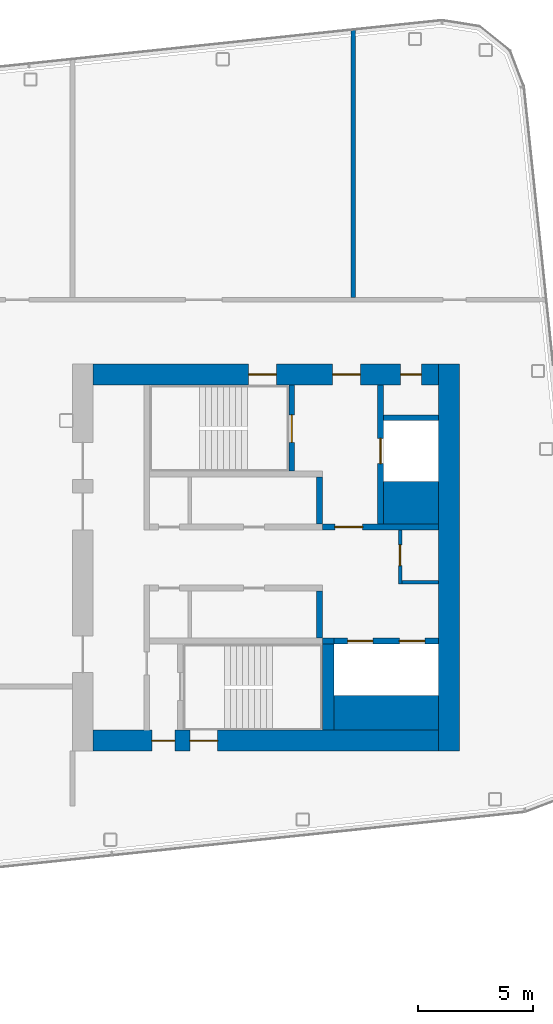
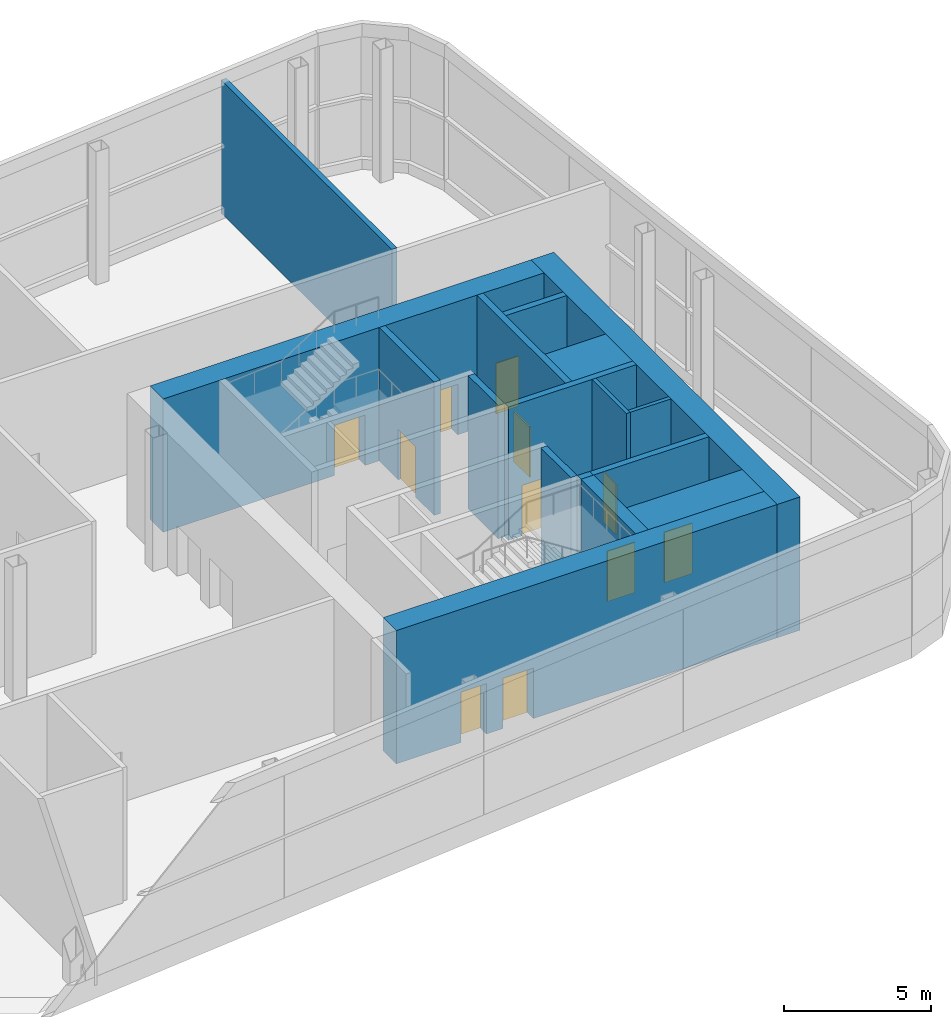
# One storey, part 17 of 35: 17 walls, 11 doors, 11 openings.
"""IFC4 building model written with IfcOpenShell, lengths in metres."""

from ifc_helpers import new_model, si_unit, direction, frame, frame_2d, origin, place, context, subcontext, project, spatial, rectangle, extrude, material, layer, layer_set, type_object, element, fill, save


model = new_model("IFC4")

# Units and contexts
model_context = context("Model", 3, precision=1e-05, world=origin(), true_north=direction((0.0, 1.0)))
body_context = subcontext(model_context, "Body", "Model", "MODEL_VIEW")
ifc_project = project(units=[si_unit("LENGTHUNIT", "METRE"), si_unit("AREAUNIT", "SQUARE_METRE"), si_unit("VOLUMEUNIT", "CUBIC_METRE"), si_unit("PLANEANGLEUNIT", "RADIAN"), si_unit("MASSUNIT", "GRAM", prefix="KILO")], contexts=[model_context])

# Site, building, storey
site_placement = place(None, origin())
site = spatial("IfcSite", under=ifc_project, at=site_placement, CompositionType="ELEMENT")
building_placement = place(site_placement, origin())
building = spatial("IfcBuilding", under=site, at=building_placement, Name="Hakoniwa Tower and Hamabe Station Hall", CompositionType="ELEMENT")
storey_placement = place(building_placement, frame((0.0, 0.0, 270.60009765625)))
storey = spatial("IfcBuildingStorey", under=building, at=storey_placement, Name="L76", CompositionType="ELEMENT", Elevation=270.60009765625)

# Wall, opening, door
ifc_material_1 = material(Name="Gypsum board partition")
ifc_layer_1 = layer(ifc_material_1, 0.14990234375)
ifc_layer_set_1 = layer_set([ifc_layer_1], Name="CORE PARTITION 150 EI 60")
wall_type_1 = type_object("IfcWallType", Name="CORE PARTITION 150 EI 60", PredefinedType="PARTITIONING", material=ifc_layer_set_1)
wall_1_placement = place(storey_placement, frame((31.02490234375, -1.14990234375, 0.0), z_axis=(0.0, 0.0, 1.0), x_axis=(0.0, 1.0, 0.0)))
wall_1 = element("IfcWall", 1, at=wall_1_placement, inside=storey, type_object=wall_type_1, Name="Core partition PW0 east", PredefinedType="PARTITIONING", context=body_context, shape_type="SweptSolid", body=[
    extrude(rectangle(XDim=2.349853515625, YDim=0.14990234375, at=frame_2d((1.1748046875, 0.0))), origin(), (0.0, 0.0, 1.0), 5.5498046875),
])
opening_1_placement = place(wall_1_placement, frame((0.800048828125, 0.0, 0.0)))
opening_1 = element("IfcOpeningElement", 2, at=opening_1_placement, cuts=wall_1, Name="Opening CD-E-RM1-9", PredefinedType="OPENING", context=body_context, shape_type="SweptSolid", body=[
    extrude(rectangle(XDim=0.89990234375, YDim=2.10009765625, at=frame_2d((0.449951171875, 1.050048828125))), frame((0.0, 0.0849609375, 0.0), z_axis=(0.0, -1.0, 0.0), x_axis=(1.0, 0.0, 0.0)), (0.0, 0.0, 1.0), 0.169921875),
])
ifc_material_2 = material(Name="Steel fire door", Category="steel")
door_type_1 = type_object("IfcDoorType", Name="CORE DOOR 900 FD30", OperationType="NOTDEFINED", PredefinedType="DOOR", material=ifc_material_2)
door_1_placement = place(opening_1_placement, origin())
door_1 = element("IfcDoor", 3, at=door_1_placement, inside=storey, type_object=door_type_1, Name="Store room door", OperationType="SINGLE_SWING_RIGHT", OverallHeight=2.10009765625, OverallWidth=0.89990234375, PredefinedType="DOOR", context=body_context, shape_type="SweptSolid", body=[
    extrude(rectangle(XDim=0.89990234375, YDim=2.10009765625, at=frame_2d((0.449951171875, 1.050048828125))), frame((0.0, 0.02490234375, 0.0), z_axis=(0.0, -1.0, 0.0), x_axis=(1.0, 0.0, 0.0)), (0.0, 0.0, 1.0), 0.050048828125),
])
fill(opening_1, door_1)

# Walls
wall_2_placement = place(storey_placement, frame((31.10009765625, -1.074951171875, 0.0), z_axis=(0.0, 0.0, 1.0), x_axis=(1.0, 0.0, 0.0)))
element("IfcWall", 4, at=wall_2_placement, inside=storey, type_object=wall_type_1, Name="Core partition PS east", PredefinedType="PARTITIONING", context=body_context, shape_type="SweptSolid", body=[
    extrude(rectangle(XDim=1.599853515625, YDim=0.14990234375, at=frame_2d((0.7998046875, 0.0))), origin(), (0.0, 0.0, 1.0), 5.5498046875),
])
ifc_material_3 = material(Name="Concrete C60", Category="concrete")
ifc_layer_2 = layer(ifc_material_3, 0.89990234375)
ifc_layer_set_2 = layer_set([ifc_layer_2], Name="CORE WALL 900 C60")
wall_type_2 = type_object("IfcWallType", Name="CORE WALL 900 C60", PredefinedType="SHEAR", material=ifc_layer_set_2)
wall_3_placement = place(storey_placement, frame((33.14990234375, -8.39990234375, 0.0), z_axis=(0.0, 0.0, 1.0), x_axis=(0.0, 1.0, 0.0)))
element("IfcWall", 5, at=wall_3_placement, inside=storey, type_object=wall_type_2, Name="Core wall OUTER east", PredefinedType="SHEAR", context=body_context, shape_type="SweptSolid", body=[
    extrude(rectangle(XDim=16.7998046875, YDim=0.89990234375, at=frame_2d((8.39990234375, 0.0))), origin(), (0.0, 0.0, 1.0), 5.5498046875),
])

# Wall, openings, doors
wall_4_placement = place(storey_placement, frame((17.699951171875, 7.949951171875, 0.0), z_axis=(0.0, 0.0, 1.0), x_axis=(1.0, 0.0, 0.0)))
wall_4 = element("IfcWall", 6, at=wall_4_placement, inside=storey, type_object=wall_type_2, Name="Core wall NORTH east", PredefinedType="SHEAR", context=body_context, shape_type="SweptSolid", body=[
    extrude(rectangle(XDim=15.0, YDim=0.89990234375, at=frame_2d((7.5, 0.0))), origin(), (0.0, 0.0, 1.0), 5.5498046875),
])
opening_2_placement = place(wall_4_placement, frame((10.39990234375, 0.0, 0.0)))
opening_2 = element("IfcOpeningElement", 7, at=opening_2_placement, cuts=wall_4, Name="Opening CD-E-FN1-12", PredefinedType="OPENING", context=body_context, shape_type="SweptSolid", body=[
    extrude(rectangle(XDim=1.199951171875, YDim=2.10009765625, at=frame_2d((0.60009765625, 1.050048828125))), frame((0.0, 0.4599609375, 0.0), z_axis=(0.0, -1.0, 0.0), x_axis=(1.0, 0.0, 0.0)), (0.0, 0.0, 1.0), 0.919921875),
])
opening_3_placement = place(wall_4_placement, frame((13.35009765625, 0.0, 0.0)))
opening_3 = element("IfcOpeningElement", 8, at=opening_3_placement, cuts=wall_4, Name="Opening CD-E-FN2-9", PredefinedType="OPENING", context=body_context, shape_type="SweptSolid", body=[
    extrude(rectangle(XDim=0.89990234375, YDim=2.10009765625, at=frame_2d((0.449951171875, 1.050048828125))), frame((0.0, 0.4599609375, 0.0), z_axis=(0.0, -1.0, 0.0), x_axis=(1.0, 0.0, 0.0)), (0.0, 0.0, 1.0), 0.919921875),
])
opening_4_placement = place(wall_4_placement, frame((6.75, 0.0, 0.0)))
opening_4 = element("IfcOpeningElement", 9, at=opening_4_placement, cuts=wall_4, Name="Opening CD-E-FN4-12", PredefinedType="OPENING", context=body_context, shape_type="SweptSolid", body=[
    extrude(rectangle(XDim=1.199951171875, YDim=2.10009765625, at=frame_2d((0.60009765625, 1.050048828125))), frame((0.0, 0.4599609375, 0.0), z_axis=(0.0, -1.0, 0.0), x_axis=(1.0, 0.0, 0.0)), (0.0, 0.0, 1.0), 0.919921875),
])
ifc_material_4 = material(Name="Steel fire door", Category="steel")
door_type_2 = type_object("IfcDoorType", Name="CORE DOOR 1200 FD60", OperationType="DOUBLE_DOOR_SINGLE_SWING", PredefinedType="DOOR", material=ifc_material_4)
door_2_placement = place(opening_2_placement, origin())
door_2 = element("IfcDoor", 10, at=door_2_placement, inside=storey, type_object=door_type_2, Name="Stair vestibule door to the fire-fighting lobby", OperationType="DOUBLE_DOOR_SINGLE_SWING", OverallHeight=2.10009765625, OverallWidth=1.199951171875, PredefinedType="DOOR", context=body_context, shape_type="SweptSolid", body=[
    extrude(rectangle(XDim=1.199951171875, YDim=2.10009765625, at=frame_2d((0.60009765625, 1.050048828125))), frame((0.0, 0.02490234375, 0.0), z_axis=(0.0, -1.0, 0.0), x_axis=(1.0, 0.0, 0.0)), (0.0, 0.0, 1.0), 0.050048828125),
])
fill(opening_2, door_2)
door_3_placement = place(opening_4_placement, origin())
door_3 = element("IfcDoor", 11, at=door_3_placement, inside=storey, type_object=door_type_2, Name="Stair vestibule door to stair A", OperationType="DOUBLE_DOOR_SINGLE_SWING", OverallHeight=2.10009765625, OverallWidth=1.199951171875, PredefinedType="DOOR", context=body_context, shape_type="SweptSolid", body=[
    extrude(rectangle(XDim=1.199951171875, YDim=2.10009765625, at=frame_2d((0.60009765625, 1.050048828125))), frame((0.0, 0.02490234375, 0.0), z_axis=(0.0, -1.0, 0.0), x_axis=(1.0, 0.0, 0.0)), (0.0, 0.0, 1.0), 0.050048828125),
])
fill(opening_4, door_3)
door_4_placement = place(opening_3_placement, origin())
door_4 = element("IfcDoor", 12, at=door_4_placement, inside=storey, type_object=door_type_1, Name="Riser access door", OperationType="SINGLE_SWING_RIGHT", OverallHeight=2.10009765625, OverallWidth=0.89990234375, PredefinedType="DOOR", context=body_context, shape_type="SweptSolid", body=[
    extrude(rectangle(XDim=0.89990234375, YDim=2.10009765625, at=frame_2d((0.449951171875, 1.050048828125))), frame((0.0, 0.02490234375, 0.0), z_axis=(0.0, -1.0, 0.0), x_axis=(1.0, 0.0, 0.0)), (0.0, 0.0, 1.0), 0.050048828125),
])
fill(opening_3, door_4)

wall_5_placement = place(storey_placement, frame((17.699951171875, -7.949951171875, 0.0), z_axis=(0.0, 0.0, 1.0), x_axis=(1.0, 0.0, 0.0)))
wall_5 = element("IfcWall", 13, at=wall_5_placement, inside=storey, type_object=wall_type_2, Name="Core wall SOUTH east", PredefinedType="SHEAR", context=body_context, shape_type="SweptSolid", body=[
    extrude(rectangle(XDim=15.0, YDim=0.89990234375, at=frame_2d((7.5, 0.0))), origin(), (0.0, 0.0, 1.0), 5.5498046875),
])
opening_5_placement = place(wall_5_placement, frame((2.550048828125, 0.0, 0.0)))
opening_5 = element("IfcOpeningElement", 14, at=opening_5_placement, cuts=wall_5, Name="Opening CD-E-FS3-10", PredefinedType="OPENING", context=body_context, shape_type="SweptSolid", body=[
    extrude(rectangle(XDim=1.0, YDim=2.10009765625, at=frame_2d((0.5, 1.050048828125))), frame((0.0, 0.4599609375, 0.0), z_axis=(0.0, -1.0, 0.0), x_axis=(1.0, 0.0, 0.0)), (0.0, 0.0, 1.0), 0.919921875),
])
opening_6_placement = place(wall_5_placement, frame((4.199951171875, 0.0, 0.0)))
opening_6 = element("IfcOpeningElement", 15, at=opening_6_placement, cuts=wall_5, Name="Opening CD-E-FS5-12", PredefinedType="OPENING", context=body_context, shape_type="SweptSolid", body=[
    extrude(rectangle(XDim=1.199951171875, YDim=2.10009765625, at=frame_2d((0.60009765625, 1.050048828125))), frame((0.0, 0.4599609375, 0.0), z_axis=(0.0, -1.0, 0.0), x_axis=(1.0, 0.0, 0.0)), (0.0, 0.0, 1.0), 0.919921875),
])
ifc_material_5 = material(Name="Steel fire door", Category="steel")
door_type_3 = type_object("IfcDoorType", Name="CORE DOOR 1000 FD60", OperationType="NOTDEFINED", PredefinedType="DOOR", material=ifc_material_5)
door_5_placement = place(opening_5_placement, origin())
door_5 = element("IfcDoor", 16, at=door_5_placement, inside=storey, type_object=door_type_3, Name="Stair vestibule door", OperationType="SINGLE_SWING_LEFT", OverallHeight=2.10009765625, OverallWidth=1.0, PredefinedType="DOOR", context=body_context, shape_type="SweptSolid", body=[
    extrude(rectangle(XDim=1.0, YDim=2.10009765625, at=frame_2d((0.5, 1.050048828125))), frame((0.0, 0.02490234375, 0.0), z_axis=(0.0, -1.0, 0.0), x_axis=(1.0, 0.0, 0.0)), (0.0, 0.0, 1.0), 0.050048828125),
])
fill(opening_5, door_5)
door_6_placement = place(opening_6_placement, origin())
door_6 = element("IfcDoor", 17, at=door_6_placement, inside=storey, type_object=door_type_2, Name="Stair vestibule door to stair B", OperationType="DOUBLE_DOOR_SINGLE_SWING", OverallHeight=2.10009765625, OverallWidth=1.199951171875, PredefinedType="DOOR", context=body_context, shape_type="SweptSolid", body=[
    extrude(rectangle(XDim=1.199951171875, YDim=2.10009765625, at=frame_2d((0.60009765625, 1.050048828125))), frame((0.0, 0.02490234375, 0.0), z_axis=(0.0, -1.0, 0.0), x_axis=(1.0, 0.0, 0.0)), (0.0, 0.0, 1.0), 0.050048828125),
])
fill(opening_6, door_6)

# Walls
ifc_material_6 = material(Name="Concrete C60", Category="concrete")
ifc_layer_3 = layer(ifc_material_6, 1.5)
ifc_layer_set_3 = layer_set([ifc_layer_3], Name="CORE WEB WALL 1500 C60")
wall_type_3 = type_object("IfcWallType", Name="CORE WEB WALL 1500 C60", PredefinedType="SHEAR", material=ifc_layer_set_3)
wall_6_placement = place(storey_placement, frame((28.14990234375, -6.75, 0.0), z_axis=(0.0, 0.0, 1.0), x_axis=(1.0, 0.0, 0.0)))
element("IfcWall", 18, at=wall_6_placement, inside=storey, type_object=wall_type_3, Name="Core wall SER east", PredefinedType="SHEAR", context=body_context, shape_type="SweptSolid", body=[
    extrude(rectangle(XDim=4.550048828125, YDim=1.5, at=frame_2d((2.27490234375, 0.0))), origin(), (0.0, 0.0, 1.0), 5.5498046875),
])
ifc_material_7 = material(Name="Concrete C60", Category="concrete")
ifc_layer_4 = layer(ifc_material_7, 1.85009765625)
ifc_layer_set_4 = layer_set([ifc_layer_4], Name="CORE WEB WALL 1850 C60")
wall_type_4 = type_object("IfcWallType", Name="CORE WEB WALL 1850 C60", PredefinedType="SHEAR", material=ifc_layer_set_4)
wall_7_placement = place(storey_placement, frame((30.300048828125, 2.375, 0.0), z_axis=(0.0, 0.0, 1.0), x_axis=(1.0, 0.0, 0.0)))
element("IfcWall", 19, at=wall_7_placement, inside=storey, type_object=wall_type_4, Name="Core wall CA east", PredefinedType="SHEAR", context=body_context, shape_type="SweptSolid", body=[
    extrude(rectangle(XDim=2.39990234375, YDim=1.85009765625, at=frame_2d((1.199951171875, 0.0))), origin(), (0.0, 0.0, 1.0), 5.5498046875),
])
ifc_material_8 = material(Name="Concrete C60", Category="concrete")
ifc_layer_5 = layer(ifc_material_8, 0.25)
ifc_layer_set_5 = layer_set([ifc_layer_5], Name="CORE WEB WALL 250 C60")
wall_type_5 = type_object("IfcWallType", Name="CORE WEB WALL 250 C60", PredefinedType="SHEAR", material=ifc_layer_set_5)
wall_8_placement = place(storey_placement, frame((27.52490234375, 1.449951171875, 0.0), z_axis=(0.0, 0.0, 1.0), x_axis=(0.0, 1.0, 0.0)))
element("IfcWall", 20, at=wall_8_placement, inside=storey, type_object=wall_type_5, Name="Core wall NE east", PredefinedType="SHEAR", context=body_context, shape_type="SweptSolid", body=[
    extrude(rectangle(XDim=2.050048828125, YDim=0.25, at=frame_2d((1.02490234375, 0.0))), origin(), (0.0, 0.0, 1.0), 5.5498046875),
])

# Wall, opening, door
wall_9_placement = place(storey_placement, frame((26.324951171875, 3.75, 0.0), z_axis=(0.0, 0.0, 1.0), x_axis=(0.0, 1.0, 0.0)))
wall_9 = element("IfcWall", 21, at=wall_9_placement, inside=storey, type_object=wall_type_5, Name="Core wall NSE east", PredefinedType="SHEAR", context=body_context, shape_type="SweptSolid", body=[
    extrude(rectangle(XDim=3.75, YDim=0.25, at=frame_2d((1.875, 0.0))), origin(), (0.0, 0.0, 1.0), 5.5498046875),
])
opening_7_placement = place(wall_9_placement, frame((1.25, 0.0, 0.0)))
opening_7 = element("IfcOpeningElement", 22, at=opening_7_placement, cuts=wall_9, Name="Opening CD-E-SN-12", PredefinedType="OPENING", context=body_context, shape_type="SweptSolid", body=[
    extrude(rectangle(XDim=1.199951171875, YDim=2.10009765625, at=frame_2d((0.60009765625, 1.050048828125))), frame((0.0, 0.135009765625, 0.0), z_axis=(0.0, -1.0, 0.0), x_axis=(1.0, 0.0, 0.0)), (0.0, 0.0, 1.0), 0.27001953125),
])
door_7_placement = place(opening_7_placement, origin())
door_7 = element("IfcDoor", 23, at=door_7_placement, inside=storey, type_object=door_type_2, Name="Escape stair door", OperationType="DOUBLE_DOOR_SINGLE_SWING", OverallHeight=2.10009765625, OverallWidth=1.199951171875, PredefinedType="DOOR", context=body_context, shape_type="SweptSolid", body=[
    extrude(rectangle(XDim=1.199951171875, YDim=2.10009765625, at=frame_2d((0.60009765625, 1.050048828125))), frame((0.0, 0.02490234375, 0.0), z_axis=(0.0, -1.0, 0.0), x_axis=(1.0, 0.0, 0.0)), (0.0, 0.0, 1.0), 0.050048828125),
])
fill(opening_7, door_7)

wall_10_placement = place(storey_placement, frame((27.64990234375, 1.324951171875, 0.0), z_axis=(0.0, 0.0, 1.0), x_axis=(1.0, 0.0, 0.0)))
wall_10 = element("IfcWall", 24, at=wall_10_placement, inside=storey, type_object=wall_type_5, Name="Core wall ELN east", PredefinedType="SHEAR", context=body_context, shape_type="SweptSolid", body=[
    extrude(rectangle(XDim=5.050048828125, YDim=0.25, at=frame_2d((2.52490234375, 0.0))), origin(), (0.0, 0.0, 1.0), 5.5498046875),
])
opening_8_placement = place(wall_10_placement, frame((0.550048828125, 0.0, 0.0)))
opening_8 = element("IfcOpeningElement", 25, at=opening_8_placement, cuts=wall_10, Name="Opening CD-E-FL-12", PredefinedType="OPENING", context=body_context, shape_type="SweptSolid", body=[
    extrude(rectangle(XDim=1.199951171875, YDim=2.10009765625, at=frame_2d((0.60009765625, 1.050048828125))), frame((0.0, 0.135009765625, 0.0), z_axis=(0.0, -1.0, 0.0), x_axis=(1.0, 0.0, 0.0)), (0.0, 0.0, 1.0), 0.27001953125),
])
door_8_placement = place(opening_8_placement, origin())
door_8 = element("IfcDoor", 26, at=door_8_placement, inside=storey, type_object=door_type_2, Name="Stair vestibule door to the fire-fighting lobby", OperationType="DOUBLE_DOOR_SINGLE_SWING", OverallHeight=2.10009765625, OverallWidth=1.199951171875, PredefinedType="DOOR", context=body_context, shape_type="SweptSolid", body=[
    extrude(rectangle(XDim=1.199951171875, YDim=2.10009765625, at=frame_2d((0.60009765625, 1.050048828125))), frame((0.0, 0.02490234375, 0.0), z_axis=(0.0, -1.0, 0.0), x_axis=(1.0, 0.0, 0.0)), (0.0, 0.0, 1.0), 0.050048828125),
])
fill(opening_8, door_8)

wall_11_placement = place(storey_placement, frame((30.175048828125, 1.449951171875, 0.0), z_axis=(0.0, 0.0, 1.0), x_axis=(0.0, 1.0, 0.0)))
wall_11 = element("IfcWall", 27, at=wall_11_placement, inside=storey, type_object=wall_type_5, Name="Core wall FFF east", PredefinedType="SHEAR", context=body_context, shape_type="SweptSolid", body=[
    extrude(rectangle(XDim=6.050048828125, YDim=0.25, at=frame_2d((3.02490234375, 0.0))), origin(), (0.0, 0.0, 1.0), 5.5498046875),
])
opening_9_placement = place(wall_11_placement, frame((2.625, 0.0, 0.0)))
opening_9 = element("IfcOpeningElement", 28, at=opening_9_placement, cuts=wall_11, Name="Opening LD-FF2", PredefinedType="OPENING", context=body_context, shape_type="SweptSolid", body=[
    extrude(rectangle(XDim=1.10009765625, YDim=2.10009765625, at=frame_2d((0.550048828125, 1.050048828125))), frame((0.0, 0.135009765625, 0.0), z_axis=(0.0, -1.0, 0.0), x_axis=(1.0, 0.0, 0.0)), (0.0, 0.0, 1.0), 0.27001953125),
])
ifc_material_9 = material(Name="Stainless steel SUS304", Category="steel")
door_type_4 = type_object("IfcDoorType", Name="LIFT LANDING DOOR 1100 FD60", OperationType="DOUBLE_DOOR_SLIDING", PredefinedType="DOOR", material=ifc_material_9)
door_9_placement = place(opening_9_placement, origin())
door_9 = element("IfcDoor", 29, at=door_9_placement, inside=storey, type_object=door_type_4, Name="Lift landing door FF2 L76", OperationType="DOUBLE_DOOR_SLIDING", OverallHeight=2.10009765625, OverallWidth=1.10009765625, PredefinedType="DOOR", context=body_context, shape_type="SweptSolid", body=[
    extrude(rectangle(XDim=1.10009765625, YDim=2.10009765625, at=frame_2d((0.550048828125, 1.050048828125))), frame((0.0, 0.02490234375, 0.0), z_axis=(0.0, -1.0, 0.0), x_axis=(1.0, 0.0, 0.0)), (0.0, 0.0, 1.0), 0.050048828125),
])
fill(opening_9, door_9)

# Walls
wall_12_placement = place(storey_placement, frame((30.300048828125, 6.074951171875, 0.0), z_axis=(0.0, 0.0, 1.0), x_axis=(1.0, 0.0, 0.0)))
element("IfcWall", 30, at=wall_12_placement, inside=storey, type_object=wall_type_5, Name="Core wall C2 east", PredefinedType="SHEAR", context=body_context, shape_type="SweptSolid", body=[
    extrude(rectangle(XDim=2.39990234375, YDim=0.25, at=frame_2d((1.199951171875, 0.0))), origin(), (0.0, 0.0, 1.0), 5.5498046875),
])
wall_13_placement = place(storey_placement, frame((27.52490234375, -3.5, 0.0), z_axis=(0.0, 0.0, 1.0), x_axis=(0.0, 1.0, 0.0)))
element("IfcWall", 31, at=wall_13_placement, inside=storey, type_object=wall_type_5, Name="Core wall SE east", PredefinedType="SHEAR", context=body_context, shape_type="SweptSolid", body=[
    extrude(rectangle(XDim=2.050048828125, YDim=0.25, at=frame_2d((1.02490234375, 0.0))), origin(), (0.0, 0.0, 1.0), 5.5498046875),
])

# Wall, openings, doors
wall_14_placement = place(storey_placement, frame((28.14990234375, -3.625, 0.0), z_axis=(0.0, 0.0, 1.0), x_axis=(1.0, 0.0, 0.0)))
wall_14 = element("IfcWall", 32, at=wall_14_placement, inside=storey, type_object=wall_type_5, Name="Core wall SEF east", PredefinedType="SHEAR", context=body_context, shape_type="SweptSolid", body=[
    extrude(rectangle(XDim=4.550048828125, YDim=0.25, at=frame_2d((2.27490234375, 0.0))), origin(), (0.0, 0.0, 1.0), 5.5498046875),
])
opening_10_placement = place(wall_14_placement, frame((0.60009765625, 0.0, 0.0)))
opening_10 = element("IfcOpeningElement", 33, at=opening_10_placement, cuts=wall_14, Name="Opening LD-OB1", PredefinedType="OPENING", context=body_context, shape_type="SweptSolid", body=[
    extrude(rectangle(XDim=1.10009765625, YDim=2.10009765625, at=frame_2d((0.550048828125, 1.050048828125))), frame((0.0, 0.135009765625, 0.0), z_axis=(0.0, -1.0, 0.0), x_axis=(1.0, 0.0, 0.0)), (0.0, 0.0, 1.0), 0.27001953125),
])
opening_11_placement = place(wall_14_placement, frame((2.85009765625, 0.0, 0.0)))
opening_11 = element("IfcOpeningElement", 34, at=opening_11_placement, cuts=wall_14, Name="Opening LD-OB2", PredefinedType="OPENING", context=body_context, shape_type="SweptSolid", body=[
    extrude(rectangle(XDim=1.10009765625, YDim=2.10009765625, at=frame_2d((0.550048828125, 1.050048828125))), frame((0.0, 0.135009765625, 0.0), z_axis=(0.0, -1.0, 0.0), x_axis=(1.0, 0.0, 0.0)), (0.0, 0.0, 1.0), 0.27001953125),
])
door_10_placement = place(opening_10_placement, origin())
door_10 = element("IfcDoor", 35, at=door_10_placement, inside=storey, type_object=door_type_4, Name="Lift landing door OB1 L76", OperationType="DOUBLE_DOOR_SLIDING", OverallHeight=2.10009765625, OverallWidth=1.10009765625, PredefinedType="DOOR", context=body_context, shape_type="SweptSolid", body=[
    extrude(rectangle(XDim=1.10009765625, YDim=2.10009765625, at=frame_2d((0.550048828125, 1.050048828125))), frame((0.0, 0.02490234375, 0.0), z_axis=(0.0, -1.0, 0.0), x_axis=(1.0, 0.0, 0.0)), (0.0, 0.0, 1.0), 0.050048828125),
])
fill(opening_10, door_10)
door_11_placement = place(opening_11_placement, origin())
door_11 = element("IfcDoor", 36, at=door_11_placement, inside=storey, type_object=door_type_4, Name="Lift landing door OB2 L76", OperationType="DOUBLE_DOOR_SLIDING", OverallHeight=2.10009765625, OverallWidth=1.10009765625, PredefinedType="DOOR", context=body_context, shape_type="SweptSolid", body=[
    extrude(rectangle(XDim=1.10009765625, YDim=2.10009765625, at=frame_2d((0.550048828125, 1.050048828125))), frame((0.0, 0.02490234375, 0.0), z_axis=(0.0, -1.0, 0.0), x_axis=(1.0, 0.0, 0.0)), (0.0, 0.0, 1.0), 0.050048828125),
])
fill(opening_11, door_11)

# Walls
wall_15_placement = place(storey_placement, frame((27.64990234375, -3.625, 0.0), z_axis=(0.0, 0.0, 1.0), x_axis=(1.0, 0.0, 0.0)))
element("IfcWall", 37, at=wall_15_placement, inside=storey, type_object=wall_type_5, Name="Core wall SRK east", PredefinedType="SHEAR", context=body_context, shape_type="SweptSolid", body=[
    extrude(rectangle(XDim=0.5, YDim=0.25, at=frame_2d((0.25, 0.0))), origin(), (0.0, 0.0, 1.0), 5.5498046875),
])
ifc_material_10 = material(Name="Concrete C60", Category="concrete")
ifc_layer_6 = layer(ifc_material_10, 0.5)
ifc_layer_set_6 = layer_set([ifc_layer_6], Name="CORE WEB WALL 500 C60")
wall_type_6 = type_object("IfcWallType", Name="CORE WEB WALL 500 C60", PredefinedType="SHEAR", material=ifc_layer_set_6)
wall_16_placement = place(storey_placement, frame((27.89990234375, -7.5, 0.0), z_axis=(0.0, 0.0, 1.0), x_axis=(0.0, 1.0, 0.0)))
element("IfcWall", 38, at=wall_16_placement, inside=storey, type_object=wall_type_6, Name="Core wall SSE east", PredefinedType="SHEAR", context=body_context, shape_type="SweptSolid", body=[
    extrude(rectangle(XDim=3.75, YDim=0.5, at=frame_2d((1.875, 0.0))), origin(), (0.0, 0.0, 1.0), 5.5498046875),
])
ifc_material_11 = material(Name="Fire-rated gypsum board partition", Category="gypsum")
ifc_layer_7 = layer(ifc_material_11, 0.199951171875)
ifc_layer_set_7 = layer_set([ifc_layer_7], Name="Party Wall 200")
wall_type_7 = type_object("IfcWallType", Name="Party Wall 200", PredefinedType="PARTITIONING", material=ifc_layer_set_7)
wall_17_placement = place(storey_placement, frame((29.0, 11.300048828125, 0.0), z_axis=(0.0, 0.0, 1.0), x_axis=(0.0, 1.0, 0.0)))
element("IfcWall", 39, at=wall_17_placement, inside=storey, type_object=wall_type_7, Name="GW-L76-025", PredefinedType="PARTITIONING", context=body_context, shape_type="SweptSolid", body=[
    extrude(rectangle(XDim=11.643310546875, YDim=0.199951171875, at=frame_2d((5.82177734375, 0.0))), origin(), (0.0, 0.0, 1.0), 5.5498046875),
])

save(model, "model.ifc")
